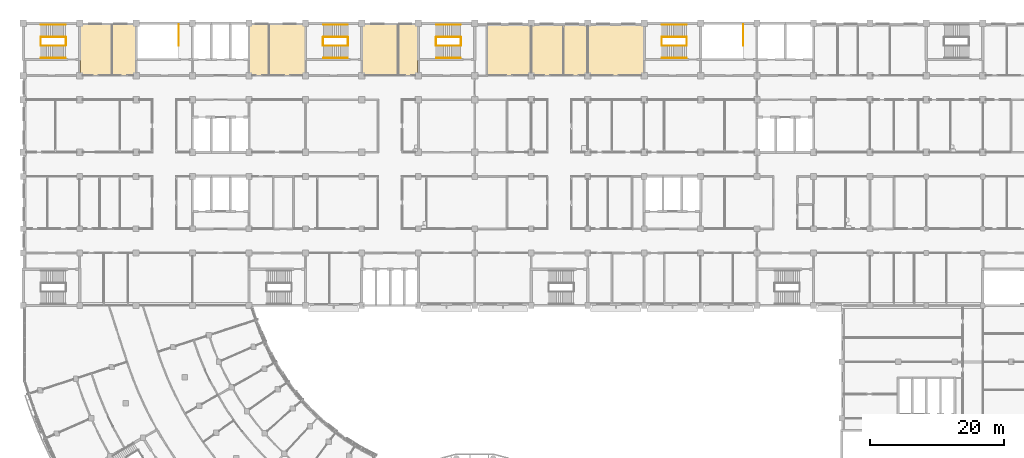
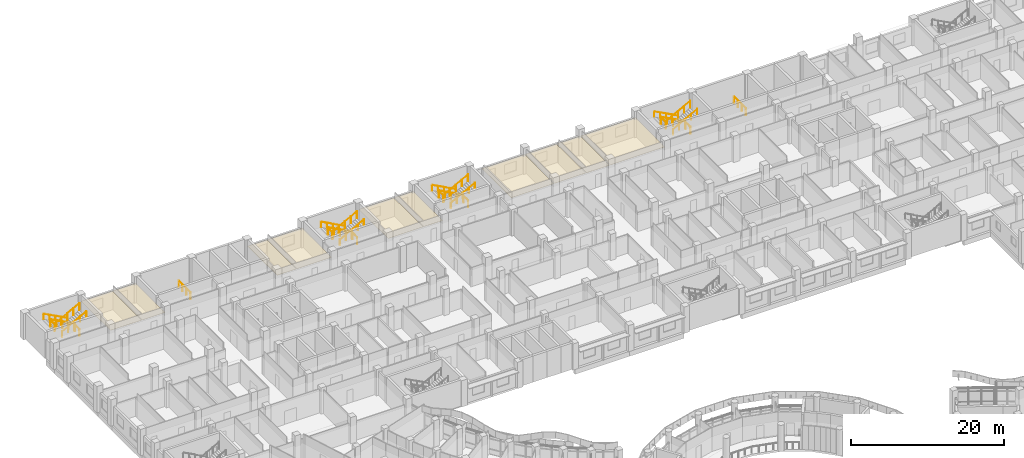
# One storey, part 107 of 109: 26 railings, 10 coverings.
"""IFC4 building model written with IfcOpenShell, lengths in metres."""

from ifc_helpers import new_model, si_unit, direction, frame, origin, origin_2d, place, context, subcontext, project, spatial, polyline, circle, outline, extrude, material, layer, layer_set, type_object, element, save


model = new_model("IFC4")

# Units and contexts
model_context = context("Model", 3, precision=1e-05, world=origin(), true_north=direction((0.0, 1.0)))
body_context = subcontext(model_context, "Body", "Model", "MODEL_VIEW")
ifc_project = project(units=[si_unit("LENGTHUNIT", "METRE"), si_unit("AREAUNIT", "SQUARE_METRE"), si_unit("VOLUMEUNIT", "CUBIC_METRE"), si_unit("PLANEANGLEUNIT", "RADIAN"), si_unit("MASSUNIT", "GRAM", prefix="KILO")], contexts=[model_context])

# Site, building, storey
site_placement = place(None, origin())
site = spatial("IfcSite", under=ifc_project, at=site_placement, CompositionType="ELEMENT")
building_placement = place(site_placement, origin())
building = spatial("IfcBuilding", under=site, at=building_placement, Name="Bougainvillea Quay General Hospital", CompositionType="ELEMENT")
storey_placement = place(building_placement, frame((0.0, 0.0, 12.60009765625)))
storey = spatial("IfcBuildingStorey", under=building, at=storey_placement, Name="L02", CompositionType="ELEMENT", Elevation=12.60009765625)

# Railings
ifc_material_1 = material(Name="Stainless steel 304 balustrade", Category="steel")
railing_type_1 = type_object("IfcRailingType", Name="Stair guard 1100", PredefinedType="GUARDRAIL", material=ifc_material_1)
for number, where, name in (
    (1, (65.14990234375, 159.425048828125, 0.0), "L02 ST-D1 top well guard 1"),
    (2, (149.14990234375, 159.425048828125, 0.0), "L02 ST-D3 top well guard 1"),
):
    element("IfcRailing", number, at=place(storey_placement, frame(where)), inside=storey, type_object=railing_type_1, Name=name, PredefinedType="GUARDRAIL", context=body_context, shape_type="SweptSolid", body=[
        extrude(circle(Radius=0.02392578125, at=origin_2d()), frame((0.0, 0.0, 1.076171875), z_axis=(0.0, -1.0, 0.0), x_axis=(1.0, 0.0, 0.0)), (0.0, 0.0, 1.0), 3.125),
        extrude(circle(Radius=0.02099609375, at=origin_2d()), origin(), (0.0, 0.0, 1.0), 1.052001953125),
        extrude(circle(Radius=0.02099609375, at=origin_2d()), frame((0.0, -1.041748046875, 0.0)), (0.0, 0.0, 1.0), 1.052001953125),
        extrude(circle(Radius=0.02099609375, at=origin_2d()), frame((0.0, -2.083251953125, 0.0)), (0.0, 0.0, 1.0), 1.052001953125),
        extrude(circle(Radius=0.02099609375, at=origin_2d()), frame((0.0, -3.125, 0.0)), (0.0, 0.0, 1.0), 1.052001953125),
    ])
railing_1_placement = place(storey_placement, frame((48.300048828125, 157.550048828125, 0.14990234375)))
element("IfcRailing", 3, at=railing_1_placement, inside=storey, type_object=railing_type_1, Name="L02 ST-A1 stair guard 1", PredefinedType="GUARDRAIL", context=body_context, shape_type="SweptSolid", body=[
    extrude(circle(Radius=0.02392578125, at=origin_2d()), frame((0.0, 0.0, 1.076171875), z_axis=(-0.881492274372, 0.0, 0.472198443689), x_axis=(0.0, -1.0, 0.0)), (0.0, 0.0, 1.0), 4.12939453125),
    extrude(circle(Radius=0.02099609375, at=origin_2d()), origin(), (0.0, 0.0, 1.0), 1.052001953125),
    extrude(circle(Radius=0.02099609375, at=origin_2d()), frame((-0.91015625, 0.0, 0.487548828125)), (0.0, 0.0, 1.0), 1.052001953125),
    extrude(circle(Radius=0.02099609375, at=origin_2d()), frame((-1.820068359375, 0.0, 0.97509765625)), (0.0, 0.0, 1.0), 1.052001953125),
    extrude(circle(Radius=0.02099609375, at=origin_2d()), frame((-2.72998046875, 0.0, 1.46240234375)), (0.0, 0.0, 1.0), 1.052001953125),
    extrude(circle(Radius=0.02099609375, at=origin_2d()), frame((-3.64013671875, 0.0, 1.949951171875)), (0.0, 0.0, 1.0), 1.052001953125),
])
railing_2_placement = place(storey_placement, frame((44.610107421875, 157.5, 2.099853515625)))
element("IfcRailing", 4, at=railing_2_placement, inside=storey, type_object=railing_type_1, Name="L02 ST-A1 stair guard 2", PredefinedType="GUARDRAIL", context=body_context, shape_type="SweptSolid", body=[
    extrude(circle(Radius=0.02392578125, at=origin_2d()), frame((0.0, 0.0, 1.076171875), z_axis=(0.0, -1.0, 0.0), x_axis=(1.0, 0.0, 0.0)), (0.0, 0.0, 1.0), 1.199951171875),
    extrude(circle(Radius=0.02099609375, at=origin_2d()), origin(), (0.0, 0.0, 1.0), 1.052001953125),
    extrude(circle(Radius=0.02099609375, at=origin_2d()), frame((0.0, -1.199951171875, 0.0)), (0.0, 0.0, 1.0), 1.052001953125),
])
railing_3_placement = place(storey_placement, frame((44.659912109375, 156.25, 2.25)))
element("IfcRailing", 5, at=railing_3_placement, inside=storey, type_object=railing_type_1, Name="L02 ST-A1 stair guard 3", PredefinedType="GUARDRAIL", context=body_context, shape_type="SweptSolid", body=[
    extrude(circle(Radius=0.02392578125, at=origin_2d()), frame((0.0, 0.0, 1.076171875), z_axis=(0.881492274372, 0.0, 0.472198443689), x_axis=(0.0, 1.0, 0.0)), (0.0, 0.0, 1.0), 4.12939453125),
    extrude(circle(Radius=0.02099609375, at=origin_2d()), origin(), (0.0, 0.0, 1.0), 1.052001953125),
    extrude(circle(Radius=0.02099609375, at=origin_2d()), frame((0.91015625, 0.0, 0.487548828125)), (0.0, 0.0, 1.0), 1.052001953125),
    extrude(circle(Radius=0.02099609375, at=origin_2d()), frame((1.820068359375, 0.0, 0.97509765625)), (0.0, 0.0, 1.0), 1.052001953125),
    extrude(circle(Radius=0.02099609375, at=origin_2d()), frame((2.72998046875, 0.0, 1.46240234375)), (0.0, 0.0, 1.0), 1.052001953125),
    extrude(circle(Radius=0.02099609375, at=origin_2d()), frame((3.64013671875, 0.0, 1.949951171875)), (0.0, 0.0, 1.0), 1.052001953125),
])
railing_4_placement = place(storey_placement, frame((48.35009765625, 157.5, 0.0)))
element("IfcRailing", 6, at=railing_4_placement, inside=storey, type_object=railing_type_1, Name="L02 ST-A1 stair guard 4", PredefinedType="GUARDRAIL", context=body_context, shape_type="SweptSolid", body=[
    extrude(circle(Radius=0.02392578125, at=origin_2d()), frame((0.0, 0.0, 1.076171875), z_axis=(0.0, -1.0, 0.0), x_axis=(1.0, 0.0, 0.0)), (0.0, 0.0, 1.0), 1.199951171875),
    extrude(circle(Radius=0.02099609375, at=origin_2d()), origin(), (0.0, 0.0, 1.0), 1.052001953125),
    extrude(circle(Radius=0.02099609375, at=origin_2d()), frame((0.0, -1.199951171875, 0.0)), (0.0, 0.0, 1.0), 1.052001953125),
])
railing_5_placement = place(storey_placement, frame((90.300048828125, 157.550048828125, 0.14990234375)))
element("IfcRailing", 7, at=railing_5_placement, inside=storey, type_object=railing_type_1, Name="L02 ST-A2 stair guard 1", PredefinedType="GUARDRAIL", context=body_context, shape_type="SweptSolid", body=[
    extrude(circle(Radius=0.02392578125, at=origin_2d()), frame((0.0, 0.0, 1.076171875), z_axis=(-0.881492274372, 0.0, 0.472198443689), x_axis=(0.0, -1.0, 0.0)), (0.0, 0.0, 1.0), 4.12939453125),
    extrude(circle(Radius=0.02099609375, at=origin_2d()), origin(), (0.0, 0.0, 1.0), 1.052001953125),
    extrude(circle(Radius=0.02099609375, at=origin_2d()), frame((-0.91015625, 0.0, 0.487548828125)), (0.0, 0.0, 1.0), 1.052001953125),
    extrude(circle(Radius=0.02099609375, at=origin_2d()), frame((-1.820068359375, 0.0, 0.97509765625)), (0.0, 0.0, 1.0), 1.052001953125),
    extrude(circle(Radius=0.02099609375, at=origin_2d()), frame((-2.72998046875, 0.0, 1.46240234375)), (0.0, 0.0, 1.0), 1.052001953125),
    extrude(circle(Radius=0.02099609375, at=origin_2d()), frame((-3.64013671875, 0.0, 1.949951171875)), (0.0, 0.0, 1.0), 1.052001953125),
])
railing_6_placement = place(storey_placement, frame((86.610107421875, 157.5, 2.099853515625)))
element("IfcRailing", 8, at=railing_6_placement, inside=storey, type_object=railing_type_1, Name="L02 ST-A2 stair guard 2", PredefinedType="GUARDRAIL", context=body_context, shape_type="SweptSolid", body=[
    extrude(circle(Radius=0.02392578125, at=origin_2d()), frame((0.0, 0.0, 1.076171875), z_axis=(0.0, -1.0, 0.0), x_axis=(1.0, 0.0, 0.0)), (0.0, 0.0, 1.0), 1.199951171875),
    extrude(circle(Radius=0.02099609375, at=origin_2d()), origin(), (0.0, 0.0, 1.0), 1.052001953125),
    extrude(circle(Radius=0.02099609375, at=origin_2d()), frame((0.0, -1.199951171875, 0.0)), (0.0, 0.0, 1.0), 1.052001953125),
])
railing_7_placement = place(storey_placement, frame((86.659912109375, 156.25, 2.25)))
element("IfcRailing", 9, at=railing_7_placement, inside=storey, type_object=railing_type_1, Name="L02 ST-A2 stair guard 3", PredefinedType="GUARDRAIL", context=body_context, shape_type="SweptSolid", body=[
    extrude(circle(Radius=0.02392578125, at=origin_2d()), frame((0.0, 0.0, 1.076171875), z_axis=(0.881492274372, 0.0, 0.472198443689), x_axis=(0.0, 1.0, 0.0)), (0.0, 0.0, 1.0), 4.12939453125),
    extrude(circle(Radius=0.02099609375, at=origin_2d()), origin(), (0.0, 0.0, 1.0), 1.052001953125),
    extrude(circle(Radius=0.02099609375, at=origin_2d()), frame((0.91015625, 0.0, 0.487548828125)), (0.0, 0.0, 1.0), 1.052001953125),
    extrude(circle(Radius=0.02099609375, at=origin_2d()), frame((1.820068359375, 0.0, 0.97509765625)), (0.0, 0.0, 1.0), 1.052001953125),
    extrude(circle(Radius=0.02099609375, at=origin_2d()), frame((2.72998046875, 0.0, 1.46240234375)), (0.0, 0.0, 1.0), 1.052001953125),
    extrude(circle(Radius=0.02099609375, at=origin_2d()), frame((3.64013671875, 0.0, 1.949951171875)), (0.0, 0.0, 1.0), 1.052001953125),
])
railing_8_placement = place(storey_placement, frame((90.35009765625, 157.5, 0.0)))
element("IfcRailing", 10, at=railing_8_placement, inside=storey, type_object=railing_type_1, Name="L02 ST-A2 stair guard 4", PredefinedType="GUARDRAIL", context=body_context, shape_type="SweptSolid", body=[
    extrude(circle(Radius=0.02392578125, at=origin_2d()), frame((0.0, 0.0, 1.076171875), z_axis=(0.0, -1.0, 0.0), x_axis=(1.0, 0.0, 0.0)), (0.0, 0.0, 1.0), 1.199951171875),
    extrude(circle(Radius=0.02099609375, at=origin_2d()), origin(), (0.0, 0.0, 1.0), 1.052001953125),
    extrude(circle(Radius=0.02099609375, at=origin_2d()), frame((0.0, -1.199951171875, 0.0)), (0.0, 0.0, 1.0), 1.052001953125),
])
railing_9_placement = place(storey_placement, frame((140.699951171875, 157.550048828125, 0.14990234375)))
element("IfcRailing", 11, at=railing_9_placement, inside=storey, type_object=railing_type_1, Name="L02 ST-A3 stair guard 1", PredefinedType="GUARDRAIL", context=body_context, shape_type="SweptSolid", body=[
    extrude(circle(Radius=0.02392578125, at=origin_2d()), frame((0.0, 0.0, 1.076171875), z_axis=(-0.881479091078, 0.0, 0.472223053219), x_axis=(0.0, -1.0, 0.0)), (0.0, 0.0, 1.0), 4.12939453125),
    extrude(circle(Radius=0.02099609375, at=origin_2d()), origin(), (0.0, 0.0, 1.0), 1.052001953125),
    extrude(circle(Radius=0.02099609375, at=origin_2d()), frame((-0.909912109375, 0.0, 0.487548828125)), (0.0, 0.0, 1.0), 1.052001953125),
    extrude(circle(Radius=0.02099609375, at=origin_2d()), frame((-1.81982421875, 0.0, 0.97509765625)), (0.0, 0.0, 1.0), 1.052001953125),
    extrude(circle(Radius=0.02099609375, at=origin_2d()), frame((-2.72998046875, 0.0, 1.46240234375)), (0.0, 0.0, 1.0), 1.052001953125),
    extrude(circle(Radius=0.02099609375, at=origin_2d()), frame((-3.639892578125, 0.0, 1.949951171875)), (0.0, 0.0, 1.0), 1.052001953125),
])
railing_10_placement = place(storey_placement, frame((137.010009765625, 157.5, 2.099853515625)))
element("IfcRailing", 12, at=railing_10_placement, inside=storey, type_object=railing_type_1, Name="L02 ST-A3 stair guard 2", PredefinedType="GUARDRAIL", context=body_context, shape_type="SweptSolid", body=[
    extrude(circle(Radius=0.02392578125, at=origin_2d()), frame((0.0, 0.0, 1.076171875), z_axis=(0.0, -1.0, 0.0), x_axis=(1.0, 0.0, 0.0)), (0.0, 0.0, 1.0), 1.199951171875),
    extrude(circle(Radius=0.02099609375, at=origin_2d()), origin(), (0.0, 0.0, 1.0), 1.052001953125),
    extrude(circle(Radius=0.02099609375, at=origin_2d()), frame((0.0, -1.199951171875, 0.0)), (0.0, 0.0, 1.0), 1.052001953125),
])
railing_11_placement = place(storey_placement, frame((137.06005859375, 156.25, 2.25)))
element("IfcRailing", 13, at=railing_11_placement, inside=storey, type_object=railing_type_1, Name="L02 ST-A3 stair guard 3", PredefinedType="GUARDRAIL", context=body_context, shape_type="SweptSolid", body=[
    extrude(circle(Radius=0.02392578125, at=origin_2d()), frame((0.0, 0.0, 1.076171875), z_axis=(0.881479091078, 0.0, 0.472223053219), x_axis=(0.0, 1.0, 0.0)), (0.0, 0.0, 1.0), 4.12939453125),
    extrude(circle(Radius=0.02099609375, at=origin_2d()), origin(), (0.0, 0.0, 1.0), 1.052001953125),
    extrude(circle(Radius=0.02099609375, at=origin_2d()), frame((0.909912109375, 0.0, 0.487548828125)), (0.0, 0.0, 1.0), 1.052001953125),
    extrude(circle(Radius=0.02099609375, at=origin_2d()), frame((1.81982421875, 0.0, 0.97509765625)), (0.0, 0.0, 1.0), 1.052001953125),
    extrude(circle(Radius=0.02099609375, at=origin_2d()), frame((2.72998046875, 0.0, 1.46240234375)), (0.0, 0.0, 1.0), 1.052001953125),
    extrude(circle(Radius=0.02099609375, at=origin_2d()), frame((3.639892578125, 0.0, 1.949951171875)), (0.0, 0.0, 1.0), 1.052001953125),
])
railing_12_placement = place(storey_placement, frame((140.75, 157.5, 0.0)))
element("IfcRailing", 14, at=railing_12_placement, inside=storey, type_object=railing_type_1, Name="L02 ST-A3 stair guard 4", PredefinedType="GUARDRAIL", context=body_context, shape_type="SweptSolid", body=[
    extrude(circle(Radius=0.02392578125, at=origin_2d()), frame((0.0, 0.0, 1.076171875), z_axis=(0.0, -1.0, 0.0), x_axis=(1.0, 0.0, 0.0)), (0.0, 0.0, 1.0), 1.199951171875),
    extrude(circle(Radius=0.02099609375, at=origin_2d()), origin(), (0.0, 0.0, 1.0), 1.052001953125),
    extrude(circle(Radius=0.02099609375, at=origin_2d()), frame((0.0, -1.199951171875, 0.0)), (0.0, 0.0, 1.0), 1.052001953125),
])
railing_13_placement = place(storey_placement, frame((107.10009765625, 157.550048828125, 0.14990234375)))
element("IfcRailing", 15, at=railing_13_placement, inside=storey, type_object=railing_type_1, Name="L02 ST-A5 stair guard 1", PredefinedType="GUARDRAIL", context=body_context, shape_type="SweptSolid", body=[
    extrude(circle(Radius=0.02392578125, at=origin_2d()), frame((0.0, 0.0, 1.076171875), z_axis=(-0.881492274372, 0.0, 0.472198443689), x_axis=(0.0, -1.0, 0.0)), (0.0, 0.0, 1.0), 4.12939453125),
    extrude(circle(Radius=0.02099609375, at=origin_2d()), origin(), (0.0, 0.0, 1.0), 1.052001953125),
    extrude(circle(Radius=0.02099609375, at=origin_2d()), frame((-0.91015625, 0.0, 0.487548828125)), (0.0, 0.0, 1.0), 1.052001953125),
    extrude(circle(Radius=0.02099609375, at=origin_2d()), frame((-1.820068359375, 0.0, 0.97509765625)), (0.0, 0.0, 1.0), 1.052001953125),
    extrude(circle(Radius=0.02099609375, at=origin_2d()), frame((-2.72998046875, 0.0, 1.46240234375)), (0.0, 0.0, 1.0), 1.052001953125),
    extrude(circle(Radius=0.02099609375, at=origin_2d()), frame((-3.64013671875, 0.0, 1.949951171875)), (0.0, 0.0, 1.0), 1.052001953125),
])
railing_14_placement = place(storey_placement, frame((103.409912109375, 157.5, 2.099853515625)))
element("IfcRailing", 16, at=railing_14_placement, inside=storey, type_object=railing_type_1, Name="L02 ST-A5 stair guard 2", PredefinedType="GUARDRAIL", context=body_context, shape_type="SweptSolid", body=[
    extrude(circle(Radius=0.02392578125, at=origin_2d()), frame((0.0, 0.0, 1.076171875), z_axis=(0.0, -1.0, 0.0), x_axis=(1.0, 0.0, 0.0)), (0.0, 0.0, 1.0), 1.199951171875),
    extrude(circle(Radius=0.02099609375, at=origin_2d()), origin(), (0.0, 0.0, 1.0), 1.052001953125),
    extrude(circle(Radius=0.02099609375, at=origin_2d()), frame((0.0, -1.199951171875, 0.0)), (0.0, 0.0, 1.0), 1.052001953125),
])
railing_15_placement = place(storey_placement, frame((103.4599609375, 156.25, 2.25)))
element("IfcRailing", 17, at=railing_15_placement, inside=storey, type_object=railing_type_1, Name="L02 ST-A5 stair guard 3", PredefinedType="GUARDRAIL", context=body_context, shape_type="SweptSolid", body=[
    extrude(circle(Radius=0.02392578125, at=origin_2d()), frame((0.0, 0.0, 1.076171875), z_axis=(0.881492274372, 0.0, 0.472198443689), x_axis=(0.0, 1.0, 0.0)), (0.0, 0.0, 1.0), 4.12939453125),
    extrude(circle(Radius=0.02099609375, at=origin_2d()), origin(), (0.0, 0.0, 1.0), 1.052001953125),
    extrude(circle(Radius=0.02099609375, at=origin_2d()), frame((0.91015625, 0.0, 0.487548828125)), (0.0, 0.0, 1.0), 1.052001953125),
    extrude(circle(Radius=0.02099609375, at=origin_2d()), frame((1.820068359375, 0.0, 0.97509765625)), (0.0, 0.0, 1.0), 1.052001953125),
    extrude(circle(Radius=0.02099609375, at=origin_2d()), frame((2.72998046875, 0.0, 1.46240234375)), (0.0, 0.0, 1.0), 1.052001953125),
    extrude(circle(Radius=0.02099609375, at=origin_2d()), frame((3.64013671875, 0.0, 1.949951171875)), (0.0, 0.0, 1.0), 1.052001953125),
])
railing_16_placement = place(storey_placement, frame((107.14990234375, 157.5, 0.0)))
element("IfcRailing", 18, at=railing_16_placement, inside=storey, type_object=railing_type_1, Name="L02 ST-A5 stair guard 4", PredefinedType="GUARDRAIL", context=body_context, shape_type="SweptSolid", body=[
    extrude(circle(Radius=0.02392578125, at=origin_2d()), frame((0.0, 0.0, 1.076171875), z_axis=(0.0, -1.0, 0.0), x_axis=(1.0, 0.0, 0.0)), (0.0, 0.0, 1.0), 1.199951171875),
    extrude(circle(Radius=0.02099609375, at=origin_2d()), origin(), (0.0, 0.0, 1.0), 1.052001953125),
    extrude(circle(Radius=0.02099609375, at=origin_2d()), frame((0.0, -1.199951171875, 0.0)), (0.0, 0.0, 1.0), 1.052001953125),
])
ifc_material_2 = material(Name="Stainless steel 304 handrail", Category="steel")
railing_type_2 = type_object("IfcRailingType", Name="Stair handrail 900", PredefinedType="HANDRAIL", material=ifc_material_2)
railing_17_placement = place(storey_placement, frame((48.300048828125, 159.375, 0.14990234375)))
element("IfcRailing", 19, at=railing_17_placement, inside=storey, type_object=railing_type_2, Name="L02 ST-A1 stair handrail 1", PredefinedType="HANDRAIL", context=body_context, shape_type="SweptSolid", body=[
    extrude(circle(Radius=0.02392578125, at=origin_2d()), frame((0.0, 0.0, 0.8759765625), z_axis=(-0.881492274372, 0.0, 0.472198443689), x_axis=(0.0, -1.0, 0.0)), (0.0, 0.0, 1.0), 4.12939453125),
    extrude(circle(Radius=0.02099609375, at=origin_2d()), origin(), (0.0, 0.0, 1.0), 0.851806640625),
    extrude(circle(Radius=0.02099609375, at=origin_2d()), frame((-0.91015625, 0.0, 0.487548828125)), (0.0, 0.0, 1.0), 0.851806640625),
    extrude(circle(Radius=0.02099609375, at=origin_2d()), frame((-1.820068359375, 0.0, 0.97509765625)), (0.0, 0.0, 1.0), 0.851806640625),
    extrude(circle(Radius=0.02099609375, at=origin_2d()), frame((-2.72998046875, 0.0, 1.46240234375)), (0.0, 0.0, 1.0), 0.851806640625),
    extrude(circle(Radius=0.02099609375, at=origin_2d()), frame((-3.64013671875, 0.0, 1.949951171875)), (0.0, 0.0, 1.0), 0.851806640625),
])
railing_18_placement = place(storey_placement, frame((44.659912109375, 154.425048828125, 2.25)))
element("IfcRailing", 20, at=railing_18_placement, inside=storey, type_object=railing_type_2, Name="L02 ST-A1 stair handrail 2", PredefinedType="HANDRAIL", context=body_context, shape_type="SweptSolid", body=[
    extrude(circle(Radius=0.02392578125, at=origin_2d()), frame((0.0, 0.0, 0.8759765625), z_axis=(0.881492274372, 0.0, 0.472198443689), x_axis=(0.0, 1.0, 0.0)), (0.0, 0.0, 1.0), 4.12939453125),
    extrude(circle(Radius=0.02099609375, at=origin_2d()), origin(), (0.0, 0.0, 1.0), 0.851806640625),
    extrude(circle(Radius=0.02099609375, at=origin_2d()), frame((0.91015625, 0.0, 0.487548828125)), (0.0, 0.0, 1.0), 0.851806640625),
    extrude(circle(Radius=0.02099609375, at=origin_2d()), frame((1.820068359375, 0.0, 0.97509765625)), (0.0, 0.0, 1.0), 0.851806640625),
    extrude(circle(Radius=0.02099609375, at=origin_2d()), frame((2.72998046875, 0.0, 1.46240234375)), (0.0, 0.0, 1.0), 0.851806640625),
    extrude(circle(Radius=0.02099609375, at=origin_2d()), frame((3.64013671875, 0.0, 1.949951171875)), (0.0, 0.0, 1.0), 0.851806640625),
])
railing_19_placement = place(storey_placement, frame((90.300048828125, 159.375, 0.14990234375)))
element("IfcRailing", 21, at=railing_19_placement, inside=storey, type_object=railing_type_2, Name="L02 ST-A2 stair handrail 1", PredefinedType="HANDRAIL", context=body_context, shape_type="SweptSolid", body=[
    extrude(circle(Radius=0.02392578125, at=origin_2d()), frame((0.0, 0.0, 0.8759765625), z_axis=(-0.881492274372, 0.0, 0.472198443689), x_axis=(0.0, -1.0, 0.0)), (0.0, 0.0, 1.0), 4.12939453125),
    extrude(circle(Radius=0.02099609375, at=origin_2d()), origin(), (0.0, 0.0, 1.0), 0.851806640625),
    extrude(circle(Radius=0.02099609375, at=origin_2d()), frame((-0.91015625, 0.0, 0.487548828125)), (0.0, 0.0, 1.0), 0.851806640625),
    extrude(circle(Radius=0.02099609375, at=origin_2d()), frame((-1.820068359375, 0.0, 0.97509765625)), (0.0, 0.0, 1.0), 0.851806640625),
    extrude(circle(Radius=0.02099609375, at=origin_2d()), frame((-2.72998046875, 0.0, 1.46240234375)), (0.0, 0.0, 1.0), 0.851806640625),
    extrude(circle(Radius=0.02099609375, at=origin_2d()), frame((-3.64013671875, 0.0, 1.949951171875)), (0.0, 0.0, 1.0), 0.851806640625),
])
railing_20_placement = place(storey_placement, frame((86.659912109375, 154.425048828125, 2.25)))
element("IfcRailing", 22, at=railing_20_placement, inside=storey, type_object=railing_type_2, Name="L02 ST-A2 stair handrail 2", PredefinedType="HANDRAIL", context=body_context, shape_type="SweptSolid", body=[
    extrude(circle(Radius=0.02392578125, at=origin_2d()), frame((0.0, 0.0, 0.8759765625), z_axis=(0.881492274372, 0.0, 0.472198443689), x_axis=(0.0, 1.0, 0.0)), (0.0, 0.0, 1.0), 4.12939453125),
    extrude(circle(Radius=0.02099609375, at=origin_2d()), origin(), (0.0, 0.0, 1.0), 0.851806640625),
    extrude(circle(Radius=0.02099609375, at=origin_2d()), frame((0.91015625, 0.0, 0.487548828125)), (0.0, 0.0, 1.0), 0.851806640625),
    extrude(circle(Radius=0.02099609375, at=origin_2d()), frame((1.820068359375, 0.0, 0.97509765625)), (0.0, 0.0, 1.0), 0.851806640625),
    extrude(circle(Radius=0.02099609375, at=origin_2d()), frame((2.72998046875, 0.0, 1.46240234375)), (0.0, 0.0, 1.0), 0.851806640625),
    extrude(circle(Radius=0.02099609375, at=origin_2d()), frame((3.64013671875, 0.0, 1.949951171875)), (0.0, 0.0, 1.0), 0.851806640625),
])
railing_21_placement = place(storey_placement, frame((140.699951171875, 159.375, 0.14990234375)))
element("IfcRailing", 23, at=railing_21_placement, inside=storey, type_object=railing_type_2, Name="L02 ST-A3 stair handrail 1", PredefinedType="HANDRAIL", context=body_context, shape_type="SweptSolid", body=[
    extrude(circle(Radius=0.02392578125, at=origin_2d()), frame((0.0, 0.0, 0.8759765625), z_axis=(-0.881479091078, 0.0, 0.472223053219), x_axis=(0.0, -1.0, 0.0)), (0.0, 0.0, 1.0), 4.12939453125),
    extrude(circle(Radius=0.02099609375, at=origin_2d()), origin(), (0.0, 0.0, 1.0), 0.851806640625),
    extrude(circle(Radius=0.02099609375, at=origin_2d()), frame((-0.909912109375, 0.0, 0.487548828125)), (0.0, 0.0, 1.0), 0.851806640625),
    extrude(circle(Radius=0.02099609375, at=origin_2d()), frame((-1.81982421875, 0.0, 0.97509765625)), (0.0, 0.0, 1.0), 0.851806640625),
    extrude(circle(Radius=0.02099609375, at=origin_2d()), frame((-2.72998046875, 0.0, 1.46240234375)), (0.0, 0.0, 1.0), 0.851806640625),
    extrude(circle(Radius=0.02099609375, at=origin_2d()), frame((-3.639892578125, 0.0, 1.949951171875)), (0.0, 0.0, 1.0), 0.851806640625),
])
railing_22_placement = place(storey_placement, frame((137.06005859375, 154.425048828125, 2.25)))
element("IfcRailing", 24, at=railing_22_placement, inside=storey, type_object=railing_type_2, Name="L02 ST-A3 stair handrail 2", PredefinedType="HANDRAIL", context=body_context, shape_type="SweptSolid", body=[
    extrude(circle(Radius=0.02392578125, at=origin_2d()), frame((0.0, 0.0, 0.8759765625), z_axis=(0.881479091078, 0.0, 0.472223053219), x_axis=(0.0, 1.0, 0.0)), (0.0, 0.0, 1.0), 4.12939453125),
    extrude(circle(Radius=0.02099609375, at=origin_2d()), origin(), (0.0, 0.0, 1.0), 0.851806640625),
    extrude(circle(Radius=0.02099609375, at=origin_2d()), frame((0.909912109375, 0.0, 0.487548828125)), (0.0, 0.0, 1.0), 0.851806640625),
    extrude(circle(Radius=0.02099609375, at=origin_2d()), frame((1.81982421875, 0.0, 0.97509765625)), (0.0, 0.0, 1.0), 0.851806640625),
    extrude(circle(Radius=0.02099609375, at=origin_2d()), frame((2.72998046875, 0.0, 1.46240234375)), (0.0, 0.0, 1.0), 0.851806640625),
    extrude(circle(Radius=0.02099609375, at=origin_2d()), frame((3.639892578125, 0.0, 1.949951171875)), (0.0, 0.0, 1.0), 0.851806640625),
])
railing_23_placement = place(storey_placement, frame((107.10009765625, 159.375, 0.14990234375)))
element("IfcRailing", 25, at=railing_23_placement, inside=storey, type_object=railing_type_2, Name="L02 ST-A5 stair handrail 1", PredefinedType="HANDRAIL", context=body_context, shape_type="SweptSolid", body=[
    extrude(circle(Radius=0.02392578125, at=origin_2d()), frame((0.0, 0.0, 0.8759765625), z_axis=(-0.881492274372, 0.0, 0.472198443689), x_axis=(0.0, -1.0, 0.0)), (0.0, 0.0, 1.0), 4.12939453125),
    extrude(circle(Radius=0.02099609375, at=origin_2d()), origin(), (0.0, 0.0, 1.0), 0.851806640625),
    extrude(circle(Radius=0.02099609375, at=origin_2d()), frame((-0.91015625, 0.0, 0.487548828125)), (0.0, 0.0, 1.0), 0.851806640625),
    extrude(circle(Radius=0.02099609375, at=origin_2d()), frame((-1.820068359375, 0.0, 0.97509765625)), (0.0, 0.0, 1.0), 0.851806640625),
    extrude(circle(Radius=0.02099609375, at=origin_2d()), frame((-2.72998046875, 0.0, 1.46240234375)), (0.0, 0.0, 1.0), 0.851806640625),
    extrude(circle(Radius=0.02099609375, at=origin_2d()), frame((-3.64013671875, 0.0, 1.949951171875)), (0.0, 0.0, 1.0), 0.851806640625),
])
railing_24_placement = place(storey_placement, frame((103.4599609375, 154.425048828125, 2.25)))
element("IfcRailing", 26, at=railing_24_placement, inside=storey, type_object=railing_type_2, Name="L02 ST-A5 stair handrail 2", PredefinedType="HANDRAIL", context=body_context, shape_type="SweptSolid", body=[
    extrude(circle(Radius=0.02392578125, at=origin_2d()), frame((0.0, 0.0, 0.8759765625), z_axis=(0.881492274372, 0.0, 0.472198443689), x_axis=(0.0, 1.0, 0.0)), (0.0, 0.0, 1.0), 4.12939453125),
    extrude(circle(Radius=0.02099609375, at=origin_2d()), origin(), (0.0, 0.0, 1.0), 0.851806640625),
    extrude(circle(Radius=0.02099609375, at=origin_2d()), frame((0.91015625, 0.0, 0.487548828125)), (0.0, 0.0, 1.0), 0.851806640625),
    extrude(circle(Radius=0.02099609375, at=origin_2d()), frame((1.820068359375, 0.0, 0.97509765625)), (0.0, 0.0, 1.0), 0.851806640625),
    extrude(circle(Radius=0.02099609375, at=origin_2d()), frame((2.72998046875, 0.0, 1.46240234375)), (0.0, 0.0, 1.0), 0.851806640625),
    extrude(circle(Radius=0.02099609375, at=origin_2d()), frame((3.64013671875, 0.0, 1.949951171875)), (0.0, 0.0, 1.0), 0.851806640625),
])

# Coverings
ifc_material_3 = material(Name="Mineral fibre ceiling tile")
ifc_layer = layer(ifc_material_3, 0.030029296875)
ifc_layer_set = layer_set([ifc_layer], Name="Mineral fibre ceiling tile")
covering_type = type_object("IfcCoveringType", Name="Suspended ceiling mineral fibre tile", PredefinedType="CEILING", material=ifc_layer_set)
covering_1_placement = place(storey_placement, frame((0.0, 0.0, 2.7998046875)))
element("IfcCovering", 27, at=covering_1_placement, inside=storey, type_object=covering_type, Name="Ceiling Human Resources Office", PredefinedType="CEILING", context=body_context, shape_type="SweptSolid", body=[
    extrude(outline(polyline([(55.14794921875, 151.85009765625), (55.14794921875, 159.552001953125), (50.449951171875, 159.552001953125), (50.449951171875, 154.300048828125), (50.5, 154.300048828125), (50.5, 151.85009765625), (55.14794921875, 151.85009765625)])), origin(), (0.0, 0.0, 1.0), 0.030029296875),
])
covering_2_placement = place(storey_placement, frame((0.0, 0.0, 2.7998046875)))
element("IfcCovering", 28, at=covering_2_placement, inside=storey, type_object=covering_type, Name="Ceiling Meeting Room 01", PredefinedType="CEILING", context=body_context, shape_type="SweptSolid", body=[
    extrude(outline(polyline([(58.75, 154.300048828125), (58.748046875, 159.552001953125), (55.248046875, 159.552001953125), (55.248046875, 151.85009765625), (58.699951171875, 151.85009765625), (58.699951171875, 154.300048828125), (58.75, 154.300048828125)])), origin(), (0.0, 0.0, 1.0), 0.030029296875),
])
covering_3_placement = place(storey_placement, frame((0.0, 0.0, 2.7998046875)))
element("IfcCovering", 29, at=covering_3_placement, inside=storey, type_object=covering_type, Name="Ceiling Administration Accessible WC", PredefinedType="CEILING", context=body_context, shape_type="SweptSolid", body=[
    extrude(outline(polyline([(75.699951171875, 151.85009765625), (78.548095703125, 151.85009765625), (78.548095703125, 159.552001953125), (75.64990234375, 159.552001953125), (75.64990234375, 154.300048828125), (75.699951171875, 154.300048828125), (75.699951171875, 151.85009765625)])), origin(), (0.0, 0.0, 1.0), 0.030029296875),
])
covering_4_placement = place(storey_placement, frame((0.0, 0.0, 2.7998046875)))
element("IfcCovering", 30, at=covering_4_placement, inside=storey, type_object=covering_type, Name="Ceiling Hospital Director Office", PredefinedType="CEILING", context=body_context, shape_type="SweptSolid", body=[
    extrude(outline(polyline([(83.949951171875, 154.300048828125), (83.949951171875, 159.552001953125), (78.64794921875, 159.552001953125), (78.64794921875, 151.85009765625), (83.89990234375, 151.85009765625), (83.89990234375, 154.300048828125), (83.949951171875, 154.300048828125)])), origin(), (0.0, 0.0, 1.0), 0.030029296875),
])
covering_5_placement = place(storey_placement, frame((0.0, 0.0, 2.7998046875)))
element("IfcCovering", 31, at=covering_5_placement, inside=storey, type_object=covering_type, Name="Ceiling IT Operations Centre", PredefinedType="CEILING", context=body_context, shape_type="SweptSolid", body=[
    extrude(outline(polyline([(97.748046875, 151.85009765625), (97.748046875, 159.552001953125), (92.449951171875, 159.552001953125), (92.449951171875, 154.300048828125), (92.5, 154.300048828125), (92.5, 151.85009765625), (97.748046875, 151.85009765625)])), origin(), (0.0, 0.0, 1.0), 0.030029296875),
])
covering_6_placement = place(storey_placement, frame((0.0, 0.0, 2.7998046875)))
element("IfcCovering", 32, at=covering_6_placement, inside=storey, type_object=covering_type, Name="Ceiling IT Support Workshop", PredefinedType="CEILING", context=body_context, shape_type="SweptSolid", body=[
    extrude(outline(polyline([(100.75, 154.300048828125), (100.75, 159.552001953125), (97.847900390625, 159.552001953125), (97.847900390625, 151.85009765625), (100.699951171875, 151.85009765625), (100.699951171875, 154.300048828125), (100.75, 154.300048828125)])), origin(), (0.0, 0.0, 1.0), 0.030029296875),
])
covering_7_placement = place(storey_placement, frame((0.0, 0.0, 2.7998046875)))
element("IfcCovering", 33, at=covering_7_placement, inside=storey, type_object=covering_type, Name="Ceiling IT Office", PredefinedType="CEILING", context=body_context, shape_type="SweptSolid", body=[
    extrude(outline(polyline([(117.550048828125, 151.85009765625), (117.550048828125, 159.552001953125), (111.097900390625, 159.552001953125), (111.097900390625, 151.85009765625), (117.550048828125, 151.85009765625)])), origin(), (0.0, 0.0, 1.0), 0.030029296875),
])
covering_8_placement = place(storey_placement, frame((0.0, 0.0, 2.7998046875)))
element("IfcCovering", 34, at=covering_8_placement, inside=storey, type_object=covering_type, Name="Ceiling Doctors' Changing Room (Women)", PredefinedType="CEILING", context=body_context, shape_type="SweptSolid", body=[
    extrude(outline(polyline([(117.64990234375, 159.552001953125), (117.64990234375, 151.85009765625), (122.35009765625, 151.85009765625), (122.35009765625, 159.552001953125), (117.64990234375, 159.552001953125)])), origin(), (0.0, 0.0, 1.0), 0.030029296875),
])
covering_9_placement = place(storey_placement, frame((0.0, 0.0, 2.7998046875)))
element("IfcCovering", 35, at=covering_9_placement, inside=storey, type_object=covering_type, Name="Ceiling Doctors' Changing Room (Men)", PredefinedType="CEILING", context=body_context, shape_type="SweptSolid", body=[
    extrude(outline(polyline([(125.949951171875, 151.85009765625), (125.949951171875, 159.552001953125), (122.449951171875, 159.552001953125), (122.449951171875, 151.85009765625), (125.949951171875, 151.85009765625)])), origin(), (0.0, 0.0, 1.0), 0.030029296875),
])
covering_10_placement = place(storey_placement, frame((0.0, 0.0, 2.7998046875)))
element("IfcCovering", 36, at=covering_10_placement, inside=storey, type_object=covering_type, Name="Ceiling Nurses' Changing Room (Women)", PredefinedType="CEILING", context=body_context, shape_type="SweptSolid", body=[
    extrude(outline(polyline([(126.050048828125, 159.552001953125), (126.050048828125, 151.85009765625), (134.300048828125, 151.85009765625), (134.300048828125, 154.300048828125), (134.35009765625, 154.300048828125), (134.35009765625, 159.552001953125), (126.050048828125, 159.552001953125)])), origin(), (0.0, 0.0, 1.0), 0.030029296875),
])

save(model, "model.ifc")
